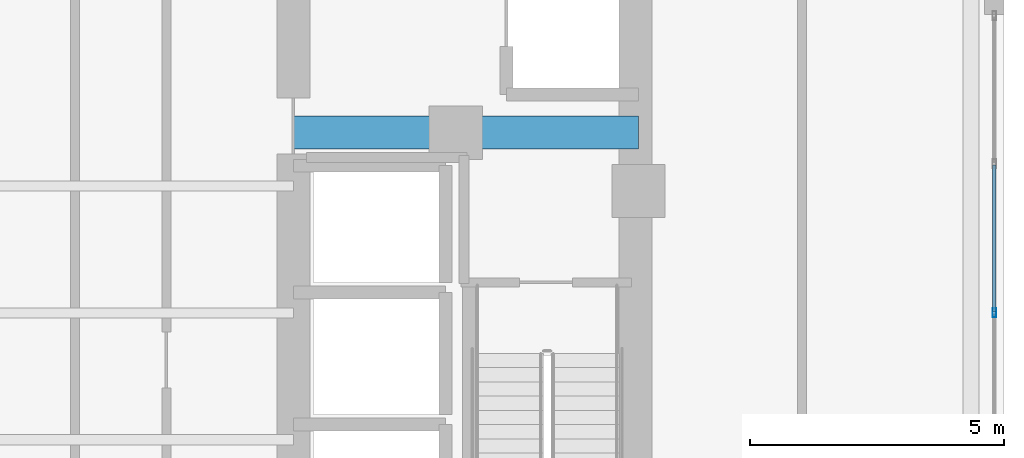
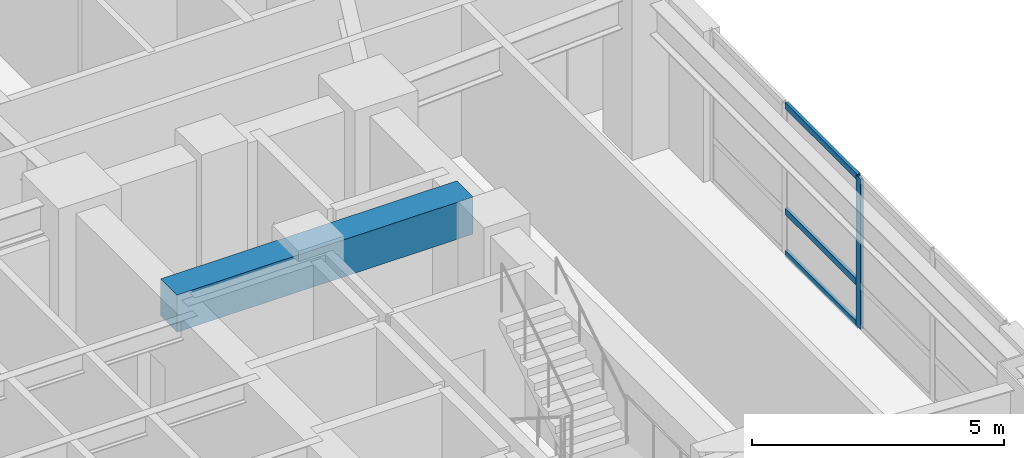
# One storey, part 13 of 28: 4 members, 1 beam, 1 element without a shape of its own.
"""IFC4 building model written with IfcOpenShell, lengths in metres."""

from ifc_helpers import new_model, si_unit, direction, frame, origin, origin_2d, place, context, subcontext, project, spatial, rectangle, hollow_rectangle, extrude, material, layer, layer_set, material_profile, profile_set, type_object, element, aggregate, save


model = new_model("IFC4")

# Units and contexts
model_context = context("Model", 3, precision=1e-05, world=origin(), true_north=direction((0.0, 1.0)))
body_context = subcontext(model_context, "Body", "Model", "MODEL_VIEW")
ifc_project = project(units=[si_unit("LENGTHUNIT", "METRE"), si_unit("AREAUNIT", "SQUARE_METRE"), si_unit("VOLUMEUNIT", "CUBIC_METRE"), si_unit("PLANEANGLEUNIT", "RADIAN"), si_unit("MASSUNIT", "GRAM", prefix="KILO")], contexts=[model_context])

# Site, building, storey
site_placement = place(None, origin())
site = spatial("IfcSite", under=ifc_project, at=site_placement, CompositionType="ELEMENT")
building_placement = place(site_placement, origin())
building = spatial("IfcBuilding", under=site, at=building_placement, Name="Voryun Gate Residences", CompositionType="ELEMENT")
storey_placement = place(building_placement, frame((0.0, 0.0, 61.10009765625)))
storey = spatial("IfcBuildingStorey", under=building, at=storey_placement, Name="L14", CompositionType="ELEMENT", Elevation=61.10009765625)

# Beam
ifc_material_1 = material(Name="Concrete C60/75", Category="concrete")
ifc_material_profile_1 = material_profile(ifc_material_1, rectangle(XDim=0.64990234375, YDim=0.89990234375, at=origin_2d()), Name="RC-650x900")
ifc_profile_set_1 = profile_set([ifc_material_profile_1], Name="Concrete C60/75")
beam_type = type_object("IfcBeamType", Name="BM_COUP_RC900", PredefinedType="LINTEL", material=ifc_profile_set_1)
beam_placement = place(storey_placement, frame((12.39990234375, 3.550048828125, 3.199951171875), z_axis=(1.0, 0.0, 0.0), x_axis=(0.0, 1.0, 0.0)))
element("IfcBeam", 1, at=beam_placement, inside=storey, type_object=beam_type, Name="BM-L14-EC1", PredefinedType="LINTEL", context=body_context, shape_type="SweptSolid", body=[
    extrude(rectangle(XDim=0.64990234375, YDim=0.89990234375, at=origin_2d()), origin(), (0.0, 0.0, 1.0), 6.800048828125),
])

# Curtain wall, members
ifc_material_2 = material(Name="Anodised aluminium", Category="aluminium")
ifc_layer = layer(ifc_material_2, 0.179931640625, Name="CW_SYS_RES_A_DARK_GLASS")
ifc_layer_set = layer_set([ifc_layer], Name="Anodised aluminium")
curtain_wall_type = type_object("IfcCurtainWallType", Name="CW_SYS_RES_A_DARK_GLASS", PredefinedType="NOTDEFINED", material=ifc_layer_set)
curtain_wall_placement = place(storey_placement, origin())
curtain_wall = element("IfcCurtainWall", 2, at=curtain_wall_placement, inside=storey, type_object=curtain_wall_type, Name="Curtain wall CWT-L14-16", PredefinedType="NOTDEFINED")
ifc_material_3 = material(Name="Anodised aluminium", Category="aluminium")
ifc_material_profile_2 = material_profile(ifc_material_3, hollow_rectangle(XDim=0.070068359375, YDim=0.179931640625, WallThickness=0.00390625, at=origin_2d()), Name="ALU-MULL-180x70x4")
ifc_profile_set_2 = profile_set([ifc_material_profile_2], Name="Anodised aluminium")
member_type_1 = type_object("IfcMemberType", Name="CW_MULL_RES", PredefinedType="MULLION", material=ifc_profile_set_2)
member_1_placement = place(storey_placement, frame((26.2099609375, 0.0, 0.0), z_axis=(0.0, 0.0, 1.0), x_axis=(1.0, 0.0, 0.0)))
member_1 = element("IfcMember", 3, at=member_1_placement, type_object=member_type_1, Name="CW3 mullion 3", PredefinedType="MULLION", context=body_context, shape_type="SweptSolid", body=[
    extrude(hollow_rectangle(XDim=0.070068359375, YDim=0.179931640625, WallThickness=0.00390625, at=origin_2d()), origin(), (0.0, 0.0, 1.0), 3.64990234375),
])
ifc_material_4 = material(Name="Anodised aluminium", Category="aluminium")
ifc_material_profile_3 = material_profile(ifc_material_4, hollow_rectangle(XDim=0.070068359375, YDim=0.14990234375, WallThickness=0.00390625, at=origin_2d()), Name="ALU-TRAN-150x70x4")
ifc_profile_set_3 = profile_set([ifc_material_profile_3], Name="Anodised aluminium")
member_type_2 = type_object("IfcMemberType", Name="CW_TRAN_RES", PredefinedType="USERDEFINED", material=ifc_profile_set_3)
member_2_placement = place(storey_placement, frame((26.2099609375, 2.910888671875, 0.02978515625), z_axis=(0.0, -1.0, 0.0), x_axis=(1.0, 0.0, 0.0)))
member_2 = element("IfcMember", 4, at=member_2_placement, type_object=member_type_2, Name="CW3 transom 2.1", ObjectType="TRANSOM", PredefinedType="USERDEFINED", context=body_context, shape_type="SweptSolid", body=[
    extrude(hollow_rectangle(XDim=0.070068359375, YDim=0.14990234375, WallThickness=0.00390625, at=origin_2d()), origin(), (0.0, 0.0, 1.0), 2.880859375),
])
member_3_placement = place(storey_placement, frame((26.2099609375, 2.910888671875, 1.0498046875), z_axis=(0.0, -1.0, 0.0), x_axis=(1.0, 0.0, 0.0)))
member_3 = element("IfcMember", 5, at=member_3_placement, type_object=member_type_2, Name="CW3 transom 2.2", ObjectType="TRANSOM", PredefinedType="USERDEFINED", context=body_context, shape_type="SweptSolid", body=[
    extrude(hollow_rectangle(XDim=0.070068359375, YDim=0.14990234375, WallThickness=0.00390625, at=origin_2d()), origin(), (0.0, 0.0, 1.0), 2.880859375),
])
member_4_placement = place(storey_placement, frame((26.2099609375, 2.910888671875, 3.619873046875), z_axis=(0.0, -1.0, 0.0), x_axis=(1.0, 0.0, 0.0)))
member_4 = element("IfcMember", 6, at=member_4_placement, type_object=member_type_2, Name="CW3 transom 2.3", ObjectType="TRANSOM", PredefinedType="USERDEFINED", context=body_context, shape_type="SweptSolid", body=[
    extrude(hollow_rectangle(XDim=0.070068359375, YDim=0.14990234375, WallThickness=0.00390625, at=origin_2d()), origin(), (0.0, 0.0, 1.0), 2.880859375),
])
aggregate(curtain_wall, [member_1, member_2, member_3, member_4])

save(model, "model.ifc")
